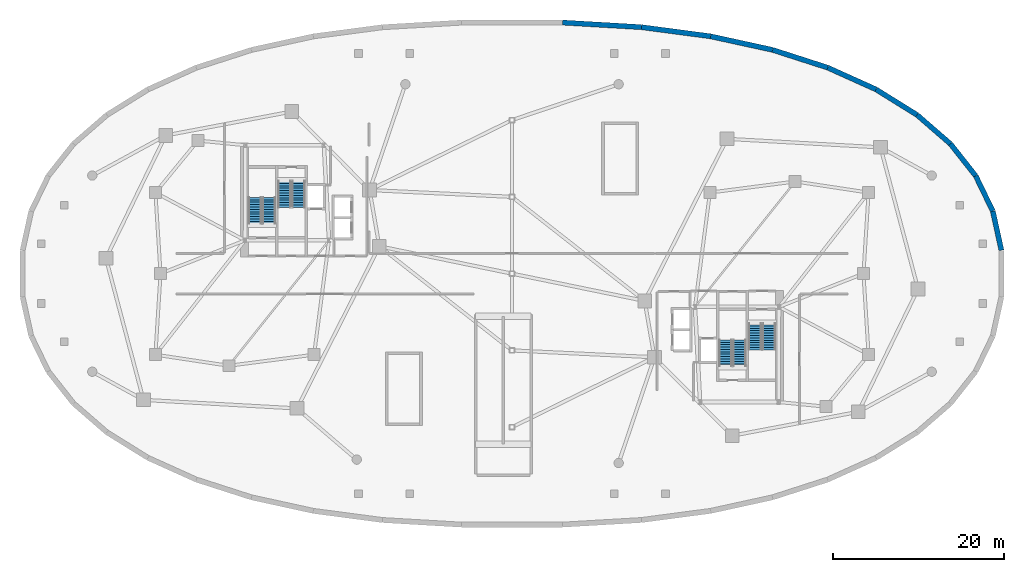
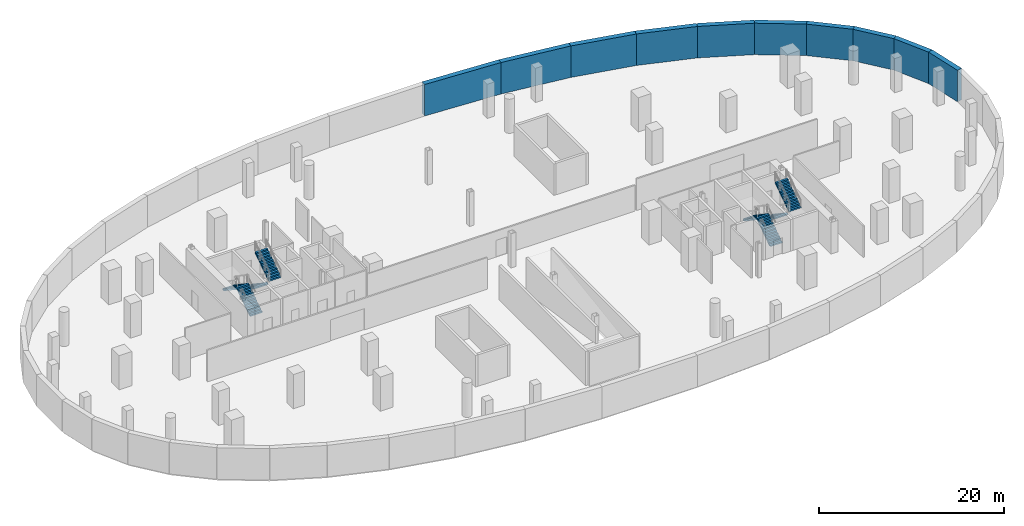
# One storey, part 8 of 10: 10 walls, 8 stair flights, 4 elements without a shape of their own.
"""IFC4 building model written with IfcOpenShell, lengths in metres."""

from ifc_helpers import new_model, si_unit, direction, frame, frame_2d, origin, place, context, subcontext, project, spatial, polyline, rectangle, outline, extrude, material, layer, layer_set, type_object, element, aggregate, save


model = new_model("IFC4")

# Units and contexts
model_context = context("Model", 3, precision=1e-05, world=origin(), true_north=direction((0.0, 1.0)))
body_context = subcontext(model_context, "Body", "Model", "MODEL_VIEW")
ifc_project = project(units=[si_unit("LENGTHUNIT", "METRE"), si_unit("AREAUNIT", "SQUARE_METRE"), si_unit("VOLUMEUNIT", "CUBIC_METRE"), si_unit("PLANEANGLEUNIT", "RADIAN"), si_unit("MASSUNIT", "GRAM", prefix="KILO"), si_unit("THERMODYNAMICTEMPERATUREUNIT", "KELVIN"), si_unit("POWERUNIT", "WATT")], contexts=[model_context])

# Site, building, storey
site_placement = place(None, origin())
site = spatial("IfcSite", under=ifc_project, at=site_placement, CompositionType="ELEMENT")
building_placement = place(site_placement, origin())
building = spatial("IfcBuilding", under=site, at=building_placement, Name="Cundina Bronze Exchange", CompositionType="ELEMENT")
storey_placement = place(building_placement, frame((0.0, 0.0, -4.5)))
storey = spatial("IfcBuildingStorey", under=building, at=storey_placement, Name="B01", CompositionType="ELEMENT", Elevation=-4.5)

# Walls
ifc_material = material(Name="Concrete C40/50", Category="concrete")
ifc_layer = layer(ifc_material, 0.60009765625, Name="Concrete C40/50", Category="concrete")
ifc_layer_set = layer_set([ifc_layer], Name="Concrete C40/50")
wall_type = type_object("IfcWallType", Name="WL-RET-600", PredefinedType="USERDEFINED", material=ifc_layer_set)
wall_1_placement = place(storey_placement, frame((57.3740234375, 2.739990234375, 0.0), z_axis=(0.0, 0.0, 1.0), x_axis=(-0.214510247434, 0.976721738135, 0.0)))
element("IfcWall", 1, at=wall_1_placement, inside=storey, type_object=wall_type, Name="B01 Perimeter Concrete Retaining Wall 01", ObjectType="RETAININGWALL", PredefinedType="USERDEFINED", context=body_context, shape_type="SweptSolid", body=[
    extrude(rectangle(XDim=4.690185546875, YDim=0.60009765625, at=frame_2d((2.34521484375, 0.0))), origin(), (0.0, 0.0, 1.0), 4.14990234375),
])
wall_2_placement = place(storey_placement, frame((56.367919921875, 7.321044921875, 0.0), z_axis=(0.0, 0.0, 1.0), x_axis=(-0.435772260249, 0.900056963307, 0.0)))
element("IfcWall", 2, at=wall_2_placement, inside=storey, type_object=wall_type, Name="B01 Perimeter Concrete Retaining Wall 02", ObjectType="RETAININGWALL", PredefinedType="USERDEFINED", context=body_context, shape_type="SweptSolid", body=[
    extrude(rectangle(XDim=4.589599609375, YDim=0.60009765625, at=frame_2d((2.294921875, 0.0))), origin(), (0.0, 0.0, 1.0), 4.14990234375),
])
wall_3_placement = place(storey_placement, frame((54.367919921875, 11.451904296875, 0.0), z_axis=(0.0, 0.0, 1.0), x_axis=(-0.619447864054, 0.785037797637, 0.0)))
element("IfcWall", 3, at=wall_3_placement, inside=storey, type_object=wall_type, Name="B01 Perimeter Concrete Retaining Wall 03", ObjectType="RETAININGWALL", PredefinedType="USERDEFINED", context=body_context, shape_type="SweptSolid", body=[
    extrude(rectangle(XDim=4.796142578125, YDim=0.60009765625, at=frame_2d((2.39794921875, 0.0))), origin(), (0.0, 0.0, 1.0), 4.14990234375),
])
wall_4_placement = place(storey_placement, frame((51.39697265625, 15.217041015625, 0.0), z_axis=(0.0, 0.0, 1.0), x_axis=(-0.755564536906, 0.655074217605, 0.0)))
element("IfcWall", 4, at=wall_4_placement, inside=storey, type_object=wall_type, Name="B01 Perimeter Concrete Retaining Wall 04", ObjectType="RETAININGWALL", PredefinedType="USERDEFINED", context=body_context, shape_type="SweptSolid", body=[
    extrude(rectangle(XDim=5.1748046875, YDim=0.60009765625, at=frame_2d((2.58740234375, 0.0))), origin(), (0.0, 0.0, 1.0), 4.14990234375),
])
wall_5_placement = place(storey_placement, frame((47.487060546875, 18.60693359375, 0.0), z_axis=(0.0, 0.0, 1.0), x_axis=(-0.849299437699, 0.527911417877, 0.0)))
element("IfcWall", 5, at=wall_5_placement, inside=storey, type_object=wall_type, Name="B01 Perimeter Concrete Retaining Wall 05", ObjectType="RETAININGWALL", PredefinedType="USERDEFINED", context=body_context, shape_type="SweptSolid", body=[
    extrude(rectangle(XDim=5.66015625, YDim=0.60009765625, at=frame_2d((2.830078125, 0.0))), origin(), (0.0, 0.0, 1.0), 4.14990234375),
])
wall_6_placement = place(storey_placement, frame((42.679931640625, 21.594970703125, 0.0), z_axis=(0.0, 0.0, 1.0), x_axis=(-0.911643952457, 0.410980904603, 0.0)))
element("IfcWall", 6, at=wall_6_placement, inside=storey, type_object=wall_type, Name="B01 Perimeter Concrete Retaining Wall 06", ObjectType="RETAININGWALL", PredefinedType="USERDEFINED", context=body_context, shape_type="SweptSolid", body=[
    extrude(rectangle(XDim=6.20947265625, YDim=0.60009765625, at=frame_2d((3.104736328125, 0.0))), origin(), (0.0, 0.0, 1.0), 4.14990234375),
])
wall_7_placement = place(storey_placement, frame((37.01904296875, 24.14697265625, 0.0), z_axis=(0.0, 0.0, 1.0), x_axis=(-0.951843868052, 0.306583187492, 0.0)))
element("IfcWall", 7, at=wall_7_placement, inside=storey, type_object=wall_type, Name="B01 Perimeter Concrete Retaining Wall 07", ObjectType="RETAININGWALL", PredefinedType="USERDEFINED", context=body_context, shape_type="SweptSolid", body=[
    extrude(rectangle(XDim=6.800537109375, YDim=0.60009765625, at=frame_2d((3.400390625, 0.0))), origin(), (0.0, 0.0, 1.0), 4.14990234375),
])
wall_8_placement = place(storey_placement, frame((30.5458984375, 26.23193359375, 0.0), z_axis=(0.0, 0.0, 1.0), x_axis=(-0.976902373216, 0.213686109059, 0.0)))
element("IfcWall", 8, at=wall_8_placement, inside=storey, type_object=wall_type, Name="B01 Perimeter Concrete Retaining Wall 08", ObjectType="RETAININGWALL", PredefinedType="USERDEFINED", context=body_context, shape_type="SweptSolid", body=[
    extrude(rectangle(XDim=7.436767578125, YDim=0.60009765625, at=frame_2d((3.71826171875, 0.0))), origin(), (0.0, 0.0, 1.0), 4.14990234375),
])
wall_9_placement = place(storey_placement, frame((23.281005859375, 27.821044921875, 0.0), z_axis=(0.0, 0.0, 1.0), x_axis=(-0.991355566156, 0.131202673187, 0.0)))
element("IfcWall", 9, at=wall_9_placement, inside=storey, type_object=wall_type, Name="B01 Perimeter Concrete Retaining Wall 09", ObjectType="RETAININGWALL", PredefinedType="USERDEFINED", context=body_context, shape_type="SweptSolid", body=[
    extrude(rectangle(XDim=8.170654296875, YDim=0.60009765625, at=frame_2d((4.08544921875, 0.0))), origin(), (0.0, 0.0, 1.0), 4.14990234375),
])
wall_10_placement = place(storey_placement, frame((15.180908203125, 28.89306640625, 0.0), z_axis=(0.0, 0.0, 1.0), x_axis=(-0.998305864477, 0.058184198455, 0.0)))
element("IfcWall", 10, at=wall_10_placement, inside=storey, type_object=wall_type, Name="B01 Perimeter Concrete Retaining Wall 10", ObjectType="RETAININGWALL", PredefinedType="USERDEFINED", context=body_context, shape_type="SweptSolid", body=[
    extrude(rectangle(XDim=9.260498046875, YDim=0.60009765625, at=frame_2d((4.63037109375, 0.0))), origin(), (0.0, 0.0, 1.0), 4.14990234375),
])

# Stair, stair flights
stair_type = type_object("IfcStairType", Name="STR-POD-400", PredefinedType="HALF_TURN_STAIR", material=ifc_material)
stair_1_placement = place(storey_placement, origin())
stair_1 = element("IfcStair", 11, at=stair_1_placement, inside=storey, type_object=stair_type, Name="B01 Smokeproof Exit Stair W1", PredefinedType="HALF_TURN_STAIR")
stair_flight_type = type_object("IfcStairFlightType", Name="FLG-POD-200", PredefinedType="STRAIGHT", material=ifc_material)
stair_flight_1_placement = place(storey_placement, frame((-28.489990234375, 5.85009765625, 0.0), z_axis=(0.0, 0.0, 1.0), x_axis=(0.0, 1.0, 0.0)))
stair_flight_1 = element("IfcStairFlight", 12, at=stair_flight_1_placement, type_object=stair_flight_type, Name="ST-W1 flight 1", NumberOfRisers=12, NumberOfTreads=11, PredefinedType="STRAIGHT", RiserHeight=0.1875, TreadLength=0.28, context=body_context, shape_type="SweptSolid", body=[
    extrude(outline(polyline([(0.0, 0.0), (0.0, 0.1875), (0.280029296875, 0.1875), (0.280029296875, 0.375), (0.56005859375, 0.375), (0.56005859375, 0.5625), (0.840087890625, 0.5625), (0.840087890625, 0.75), (1.1201171875, 0.75), (1.1201171875, 0.9375), (1.39990234375, 0.9375), (1.39990234375, 1.125), (1.679931640625, 1.125), (1.679931640625, 1.3125), (1.9599609375, 1.3125), (1.9599609375, 1.5), (2.239990234375, 1.5), (2.239990234375, 1.6875), (2.52001953125, 1.6875), (2.52001953125, 1.875), (2.800048828125, 1.875), (2.800048828125, 2.0625), (3.080078125, 2.0625), (3.080078125, 2.25), (3.080078125, 1.882080078125), (0.26953125, 0.0), (0.0, 0.0)])), frame((0.0, 0.75, 0.0), z_axis=(0.0, -1.0, 0.0), x_axis=(1.0, 0.0, 0.0)), (0.0, 0.0, 1.0), 1.5),
])
stair_flight_2_placement = place(storey_placement, frame((-30.14990234375, 8.929931640625, 2.25), z_axis=(0.0, 0.0, 1.0), x_axis=(0.0, -1.0, 0.0)))
stair_flight_2 = element("IfcStairFlight", 13, at=stair_flight_2_placement, type_object=stair_flight_type, Name="ST-W1 flight 2", NumberOfRisers=12, NumberOfTreads=11, PredefinedType="STRAIGHT", RiserHeight=0.1875, TreadLength=0.28, context=body_context, shape_type="SweptSolid", body=[
    extrude(outline(polyline([(0.0, 0.0), (0.0, 0.1875), (0.280029296875, 0.1875), (0.280029296875, 0.375), (0.56005859375, 0.375), (0.56005859375, 0.5625), (0.840087890625, 0.5625), (0.840087890625, 0.75), (1.1201171875, 0.75), (1.1201171875, 0.9375), (1.39990234375, 0.9375), (1.39990234375, 1.125), (1.679931640625, 1.125), (1.679931640625, 1.3125), (1.9599609375, 1.3125), (1.9599609375, 1.5), (2.239990234375, 1.5), (2.239990234375, 1.6875), (2.52001953125, 1.6875), (2.52001953125, 1.875), (2.800048828125, 1.875), (2.800048828125, 2.0625), (3.080078125, 2.0625), (3.080078125, 2.25), (3.080078125, 1.882080078125), (0.26953125, 0.0), (0.0, 0.0)])), frame((0.0, 0.75, 0.0), z_axis=(0.0, -1.0, 0.0), x_axis=(1.0, 0.0, 0.0)), (0.0, 0.0, 1.0), 1.5),
])
aggregate(stair_1, [stair_flight_1, stair_flight_2])

stair_2_placement = place(storey_placement, origin())
stair_2 = element("IfcStair", 14, at=stair_2_placement, inside=storey, type_object=stair_type, Name="B01 Smokeproof Exit Stair W2", PredefinedType="HALF_TURN_STAIR")
stair_flight_3_placement = place(storey_placement, frame((-26.68994140625, 10.85009765625, 0.0), z_axis=(0.0, 0.0, 1.0), x_axis=(0.0, -1.0, 0.0)))
stair_flight_3 = element("IfcStairFlight", 15, at=stair_flight_3_placement, type_object=stair_flight_type, Name="ST-W2 flight 1", NumberOfRisers=12, NumberOfTreads=11, PredefinedType="STRAIGHT", RiserHeight=0.1875, TreadLength=0.28, context=body_context, shape_type="SweptSolid", body=[
    extrude(outline(polyline([(0.0, 0.0), (0.0, 0.1875), (0.280029296875, 0.1875), (0.280029296875, 0.375), (0.56005859375, 0.375), (0.56005859375, 0.5625), (0.840087890625, 0.5625), (0.840087890625, 0.75), (1.1201171875, 0.75), (1.1201171875, 0.9375), (1.39990234375, 0.9375), (1.39990234375, 1.125), (1.679931640625, 1.125), (1.679931640625, 1.3125), (1.9599609375, 1.3125), (1.9599609375, 1.5), (2.239990234375, 1.5), (2.239990234375, 1.6875), (2.52001953125, 1.6875), (2.52001953125, 1.875), (2.800048828125, 1.875), (2.800048828125, 2.0625), (3.080078125, 2.0625), (3.080078125, 2.25), (3.080078125, 1.882080078125), (0.26953125, 0.0), (0.0, 0.0)])), frame((0.0, 0.75, 0.0), z_axis=(0.0, -1.0, 0.0), x_axis=(1.0, 0.0, 0.0)), (0.0, 0.0, 1.0), 1.5),
])
stair_flight_4_placement = place(storey_placement, frame((-25.030029296875, 7.77001953125, 2.25), z_axis=(0.0, 0.0, 1.0), x_axis=(0.0, 1.0, 0.0)))
stair_flight_4 = element("IfcStairFlight", 16, at=stair_flight_4_placement, type_object=stair_flight_type, Name="ST-W2 flight 2", NumberOfRisers=12, NumberOfTreads=11, PredefinedType="STRAIGHT", RiserHeight=0.1875, TreadLength=0.28, context=body_context, shape_type="SweptSolid", body=[
    extrude(outline(polyline([(0.0, 0.0), (0.0, 0.1875), (0.280029296875, 0.1875), (0.280029296875, 0.375), (0.56005859375, 0.375), (0.56005859375, 0.5625), (0.840087890625, 0.5625), (0.840087890625, 0.75), (1.1201171875, 0.75), (1.1201171875, 0.9375), (1.39990234375, 0.9375), (1.39990234375, 1.125), (1.679931640625, 1.125), (1.679931640625, 1.3125), (1.9599609375, 1.3125), (1.9599609375, 1.5), (2.239990234375, 1.5), (2.239990234375, 1.6875), (2.52001953125, 1.6875), (2.52001953125, 1.875), (2.800048828125, 1.875), (2.800048828125, 2.0625), (3.080078125, 2.0625), (3.080078125, 2.25), (3.080078125, 1.882080078125), (0.26953125, 0.0), (0.0, 0.0)])), frame((0.0, 0.75, 0.0), z_axis=(0.0, -1.0, 0.0), x_axis=(1.0, 0.0, 0.0)), (0.0, 0.0, 1.0), 1.5),
])
aggregate(stair_2, [stair_flight_3, stair_flight_4])

stair_3_placement = place(storey_placement, origin())
stair_3 = element("IfcStair", 17, at=stair_3_placement, inside=storey, type_object=stair_type, Name="B01 Smokeproof Exit Stair E1", PredefinedType="HALF_TURN_STAIR")
stair_flight_5_placement = place(storey_placement, frame((28.489990234375, -5.85009765625, 0.0), z_axis=(0.0, 0.0, 1.0), x_axis=(0.0, -1.0, 0.0)))
stair_flight_5 = element("IfcStairFlight", 18, at=stair_flight_5_placement, type_object=stair_flight_type, Name="ST-E1 flight 1", NumberOfRisers=12, NumberOfTreads=11, PredefinedType="STRAIGHT", RiserHeight=0.1875, TreadLength=0.28, context=body_context, shape_type="SweptSolid", body=[
    extrude(outline(polyline([(0.0, 0.0), (0.0, 0.1875), (0.280029296875, 0.1875), (0.280029296875, 0.375), (0.56005859375, 0.375), (0.56005859375, 0.5625), (0.840087890625, 0.5625), (0.840087890625, 0.75), (1.1201171875, 0.75), (1.1201171875, 0.9375), (1.39990234375, 0.9375), (1.39990234375, 1.125), (1.679931640625, 1.125), (1.679931640625, 1.3125), (1.9599609375, 1.3125), (1.9599609375, 1.5), (2.239990234375, 1.5), (2.239990234375, 1.6875), (2.52001953125, 1.6875), (2.52001953125, 1.875), (2.800048828125, 1.875), (2.800048828125, 2.0625), (3.080078125, 2.0625), (3.080078125, 2.25), (3.080078125, 1.882080078125), (0.26953125, 0.0), (0.0, 0.0)])), frame((0.0, 0.75, 0.0), z_axis=(0.0, -1.0, 0.0), x_axis=(1.0, 0.0, 0.0)), (0.0, 0.0, 1.0), 1.5),
])
stair_flight_6_placement = place(storey_placement, frame((30.14990234375, -8.929931640625, 2.25), z_axis=(0.0, 0.0, 1.0), x_axis=(0.0, 1.0, 0.0)))
stair_flight_6 = element("IfcStairFlight", 19, at=stair_flight_6_placement, type_object=stair_flight_type, Name="ST-E1 flight 2", NumberOfRisers=12, NumberOfTreads=11, PredefinedType="STRAIGHT", RiserHeight=0.1875, TreadLength=0.28, context=body_context, shape_type="SweptSolid", body=[
    extrude(outline(polyline([(0.0, 0.0), (0.0, 0.1875), (0.280029296875, 0.1875), (0.280029296875, 0.375), (0.56005859375, 0.375), (0.56005859375, 0.5625), (0.840087890625, 0.5625), (0.840087890625, 0.75), (1.1201171875, 0.75), (1.1201171875, 0.9375), (1.39990234375, 0.9375), (1.39990234375, 1.125), (1.679931640625, 1.125), (1.679931640625, 1.3125), (1.9599609375, 1.3125), (1.9599609375, 1.5), (2.239990234375, 1.5), (2.239990234375, 1.6875), (2.52001953125, 1.6875), (2.52001953125, 1.875), (2.800048828125, 1.875), (2.800048828125, 2.0625), (3.080078125, 2.0625), (3.080078125, 2.25), (3.080078125, 1.882080078125), (0.26953125, 0.0), (0.0, 0.0)])), frame((0.0, 0.75, 0.0), z_axis=(0.0, -1.0, 0.0), x_axis=(1.0, 0.0, 0.0)), (0.0, 0.0, 1.0), 1.5),
])
aggregate(stair_3, [stair_flight_5, stair_flight_6])

stair_4_placement = place(storey_placement, origin())
stair_4 = element("IfcStair", 20, at=stair_4_placement, inside=storey, type_object=stair_type, Name="B01 Smokeproof Exit Stair E2", PredefinedType="HALF_TURN_STAIR")
stair_flight_7_placement = place(storey_placement, frame((26.68994140625, -10.85009765625, 0.0), z_axis=(0.0, 0.0, 1.0), x_axis=(0.0, 1.0, 0.0)))
stair_flight_7 = element("IfcStairFlight", 21, at=stair_flight_7_placement, type_object=stair_flight_type, Name="ST-E2 flight 1", NumberOfRisers=12, NumberOfTreads=11, PredefinedType="STRAIGHT", RiserHeight=0.1875, TreadLength=0.28, context=body_context, shape_type="SweptSolid", body=[
    extrude(outline(polyline([(0.0, 0.0), (0.0, 0.1875), (0.280029296875, 0.1875), (0.280029296875, 0.375), (0.56005859375, 0.375), (0.56005859375, 0.5625), (0.840087890625, 0.5625), (0.840087890625, 0.75), (1.1201171875, 0.75), (1.1201171875, 0.9375), (1.39990234375, 0.9375), (1.39990234375, 1.125), (1.679931640625, 1.125), (1.679931640625, 1.3125), (1.9599609375, 1.3125), (1.9599609375, 1.5), (2.239990234375, 1.5), (2.239990234375, 1.6875), (2.52001953125, 1.6875), (2.52001953125, 1.875), (2.800048828125, 1.875), (2.800048828125, 2.0625), (3.080078125, 2.0625), (3.080078125, 2.25), (3.080078125, 1.882080078125), (0.26953125, 0.0), (0.0, 0.0)])), frame((0.0, 0.75, 0.0), z_axis=(0.0, -1.0, 0.0), x_axis=(1.0, 0.0, 0.0)), (0.0, 0.0, 1.0), 1.5),
])
stair_flight_8_placement = place(storey_placement, frame((25.030029296875, -7.77001953125, 2.25), z_axis=(0.0, 0.0, 1.0), x_axis=(0.0, -1.0, 0.0)))
stair_flight_8 = element("IfcStairFlight", 22, at=stair_flight_8_placement, type_object=stair_flight_type, Name="ST-E2 flight 2", NumberOfRisers=12, NumberOfTreads=11, PredefinedType="STRAIGHT", RiserHeight=0.1875, TreadLength=0.28, context=body_context, shape_type="SweptSolid", body=[
    extrude(outline(polyline([(0.0, 0.0), (0.0, 0.1875), (0.280029296875, 0.1875), (0.280029296875, 0.375), (0.56005859375, 0.375), (0.56005859375, 0.5625), (0.840087890625, 0.5625), (0.840087890625, 0.75), (1.1201171875, 0.75), (1.1201171875, 0.9375), (1.39990234375, 0.9375), (1.39990234375, 1.125), (1.679931640625, 1.125), (1.679931640625, 1.3125), (1.9599609375, 1.3125), (1.9599609375, 1.5), (2.239990234375, 1.5), (2.239990234375, 1.6875), (2.52001953125, 1.6875), (2.52001953125, 1.875), (2.800048828125, 1.875), (2.800048828125, 2.0625), (3.080078125, 2.0625), (3.080078125, 2.25), (3.080078125, 1.882080078125), (0.26953125, 0.0), (0.0, 0.0)])), frame((0.0, 0.75, 0.0), z_axis=(0.0, -1.0, 0.0), x_axis=(1.0, 0.0, 0.0)), (0.0, 0.0, 1.0), 1.5),
])
aggregate(stair_4, [stair_flight_7, stair_flight_8])

save(model, "model.ifc")
